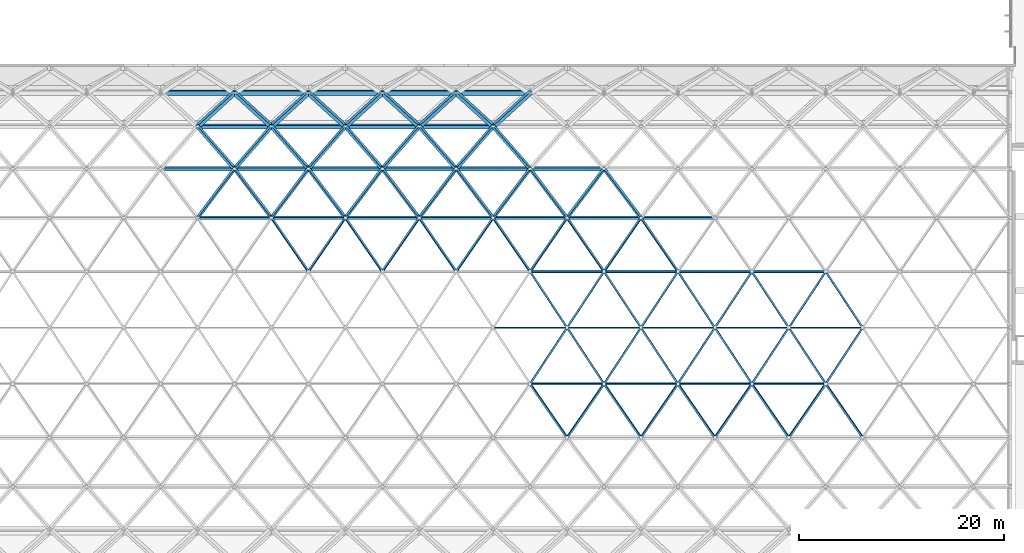
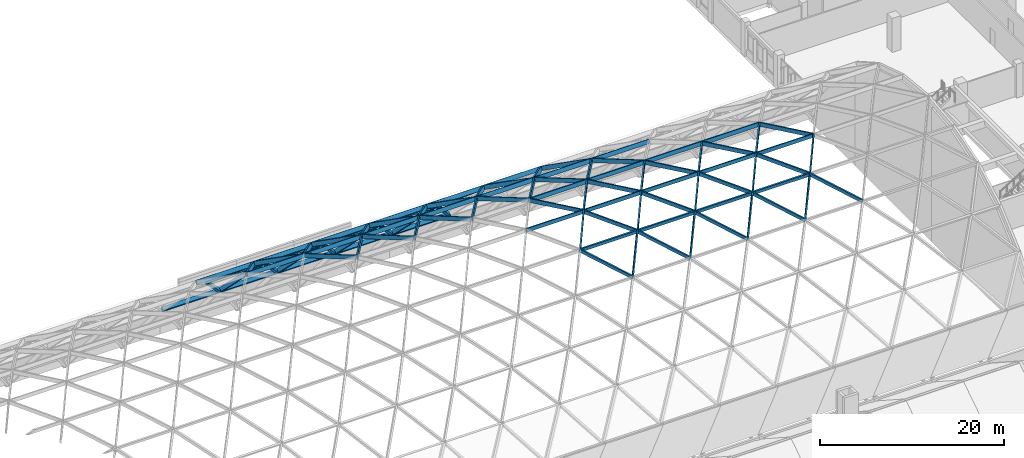
# One storey, part 10 of 52: 68 members, 35 beams.
"""IFC4 building model written with IfcOpenShell, lengths in metres."""

from ifc_helpers import new_model, si_unit, direction, frame, origin, origin_2d, place, context, subcontext, project, spatial, rectangle, extrude, material, material_profile, profile_set, type_object, element, save


model = new_model("IFC4")

# Units and contexts
model_context = context("Model", 3, precision=1e-05, world=origin(), true_north=direction((0.0, 1.0)))
body_context = subcontext(model_context, "Body", "Model", "MODEL_VIEW")
ifc_project = project(units=[si_unit("LENGTHUNIT", "METRE"), si_unit("AREAUNIT", "SQUARE_METRE"), si_unit("VOLUMEUNIT", "CUBIC_METRE"), si_unit("PLANEANGLEUNIT", "RADIAN"), si_unit("MASSUNIT", "GRAM", prefix="KILO")], contexts=[model_context])

# Site, building, storey
site_placement = place(None, origin())
site = spatial("IfcSite", under=ifc_project, at=site_placement, CompositionType="ELEMENT")
building_placement = place(site_placement, origin())
building = spatial("IfcBuilding", under=site, at=building_placement, Name="Vermilion Court Aquatics Centre", CompositionType="ELEMENT")
storey_placement = place(building_placement, frame((0.0, 0.0, 12.0)))
storey = spatial("IfcBuildingStorey", under=building, at=storey_placement, Name="L02", CompositionType="ELEMENT", Elevation=12.0)

# Beams
ifc_material_1 = material(Name="Glulam 24F-V4 Douglas fir", Category="wood")
ifc_material_profile_1 = material_profile(ifc_material_1, rectangle(XDim=0.1298828125, YDim=0.5, at=origin_2d()), Name="GL24F 130x500")
ifc_profile_set_1 = profile_set([ifc_material_profile_1], Name="Glulam 24F-V4 Douglas fir")
beam_type_1 = type_object("IfcBeamType", Name="Roof glulam beam GL24F 130x500", PredefinedType="BEAM", material=ifc_profile_set_1)
for number, where, z_axis, x_axis, name in (
    (1, (93.60009765625, 39.60009765625, 18.25), (1.0, 0.0, 0.0), (0.0, 1.0, 0.0), "Gridshell member GM-S06-11"),
    (2, (100.800048828125, 39.60009765625, 18.25), (1.0, 0.0, 0.0), (0.0, 1.0, 0.0), "Gridshell member GM-S06-12"),
    (3, (108.0, 39.60009765625, 18.25), (1.0, 0.0, 0.0), (0.0, 1.0, 0.0), "Gridshell member GM-S06-13"),
    (4, (115.199951171875, 39.60009765625, 18.25), (1.0, 0.0, 0.0), (0.0, 1.0, 0.0), "Gridshell member GM-S06-14"),
):
    element("IfcBeam", number, at=place(storey_placement, frame(where, z_axis=z_axis, x_axis=x_axis)), inside=storey, type_object=beam_type_1, Name=name, PredefinedType="BEAM", context=body_context, shape_type="SweptSolid", body=[
        extrude(rectangle(XDim=0.1298828125, YDim=0.5, at=origin_2d()), origin(), (0.0, 0.0, 1.0), 7.199951171875),
    ])
beam_1_placement = place(storey_placement, frame((122.39990234375, 39.60009765625, 18.25), z_axis=(1.0, 0.0, 0.0), x_axis=(0.0, 1.0, 0.0)))
element("IfcBeam", 5, at=beam_1_placement, inside=storey, type_object=beam_type_1, Name="Gridshell member GM-S06-15", PredefinedType="BEAM", context=body_context, shape_type="SweptSolid", body=[
    extrude(rectangle(XDim=0.1298828125, YDim=0.5, at=origin_2d()), origin(), (0.0, 0.0, 1.0), 7.2001953125),
])
ifc_material_2 = material(Name="Glulam 24F-V4 Douglas fir", Category="wood")
ifc_material_profile_2 = material_profile(ifc_material_2, rectangle(XDim=0.1708984375, YDim=0.5, at=origin_2d()), Name="GL24F 171x500")
ifc_profile_set_2 = profile_set([ifc_material_profile_2], Name="Glulam 24F-V4 Douglas fir")
beam_type_2 = type_object("IfcBeamType", Name="Roof glulam beam GL24F 171x500", PredefinedType="BEAM", material=ifc_profile_set_2)
beam_2_placement = place(storey_placement, frame((97.199951171875, 34.1298828125, 17.681884765625), z_axis=(1.0, 0.0, 0.0), x_axis=(0.0, 0.978692135467, 0.205333153619)))
element("IfcBeam", 6, at=beam_2_placement, inside=storey, type_object=beam_type_2, Name="Gridshell member GM-S05-12", PredefinedType="BEAM", context=body_context, shape_type="SweptSolid", body=[
    extrude(rectangle(XDim=0.1708984375, YDim=0.5, at=origin_2d()), origin(), (0.0, 0.0, 1.0), 7.199951171875),
])
beam_3_placement = place(storey_placement, frame((104.39990234375, 34.1298828125, 17.681884765625), z_axis=(1.0, 0.0, 0.0), x_axis=(0.0, 0.978692135467, 0.205333153619)))
element("IfcBeam", 7, at=beam_3_placement, inside=storey, type_object=beam_type_2, Name="Gridshell member GM-S05-13", PredefinedType="BEAM", context=body_context, shape_type="SweptSolid", body=[
    extrude(rectangle(XDim=0.1708984375, YDim=0.5, at=origin_2d()), origin(), (0.0, 0.0, 1.0), 7.2001953125),
])
for number, where, z_axis, x_axis, name in (
    (8, (111.60009765625, 34.1298828125, 17.681884765625), (1.0, 0.0, 0.0), (0.0, 0.978692135467, 0.205333153619), "Gridshell member GM-S05-14"),
    (9, (118.800048828125, 34.1298828125, 17.681884765625), (1.0, 0.0, 0.0), (0.0, 0.978692135467, 0.205333153619), "Gridshell member GM-S05-15"),
    (10, (97.199951171875, 45.070068359375, 17.681884765625), (1.0, 0.0, 0.0), (0.0, 0.978692135467, -0.205333153619), "Gridshell member GM-S07-12"),
):
    element("IfcBeam", number, at=place(storey_placement, frame(where, z_axis=z_axis, x_axis=x_axis)), inside=storey, type_object=beam_type_2, Name=name, PredefinedType="BEAM", context=body_context, shape_type="SweptSolid", body=[
        extrude(rectangle(XDim=0.1708984375, YDim=0.5, at=origin_2d()), origin(), (0.0, 0.0, 1.0), 7.199951171875),
    ])
beam_4_placement = place(storey_placement, frame((104.39990234375, 45.070068359375, 17.681884765625), z_axis=(1.0, 0.0, 0.0), x_axis=(0.0, 0.978692135467, -0.205333153619)))
element("IfcBeam", 11, at=beam_4_placement, inside=storey, type_object=beam_type_2, Name="Gridshell member GM-S07-13", PredefinedType="BEAM", context=body_context, shape_type="SweptSolid", body=[
    extrude(rectangle(XDim=0.1708984375, YDim=0.5, at=origin_2d()), origin(), (0.0, 0.0, 1.0), 7.2001953125),
])
for number, where, z_axis, x_axis, name in (
    (12, (111.60009765625, 45.070068359375, 17.681884765625), (1.0, 0.0, 0.0), (0.0, 0.978692135467, -0.205333153619), "Gridshell member GM-S07-14"),
    (13, (118.800048828125, 45.070068359375, 17.681884765625), (1.0, 0.0, 0.0), (0.0, 0.978692135467, -0.205333153619), "Gridshell member GM-S07-15"),
    (14, (64.800048828125, 50.300048828125, 16.007080078125), (1.0, 0.0, 0.0), (0.0, 0.915794264632, -0.401647687492), "Gridshell member GM-S08-07"),
    (15, (72.0, 50.300048828125, 16.007080078125), (1.0, 0.0, 0.0), (0.0, 0.915794264632, -0.401647687492), "Gridshell member GM-S08-08"),
    (16, (79.199951171875, 50.300048828125, 16.007080078125), (1.0, 0.0, 0.0), (0.0, 0.915794264632, -0.401647687492), "Gridshell member GM-S08-09"),
):
    element("IfcBeam", number, at=place(storey_placement, frame(where, z_axis=z_axis, x_axis=x_axis)), inside=storey, type_object=beam_type_2, Name=name, PredefinedType="BEAM", context=body_context, shape_type="SweptSolid", body=[
        extrude(rectangle(XDim=0.1708984375, YDim=0.5, at=origin_2d()), origin(), (0.0, 0.0, 1.0), 7.199951171875),
    ])
beam_5_placement = place(storey_placement, frame((86.39990234375, 50.300048828125, 16.007080078125), z_axis=(1.0, 0.0, 0.0), x_axis=(0.0, 0.915794264632, -0.401647687492)))
element("IfcBeam", 17, at=beam_5_placement, inside=storey, type_object=beam_type_2, Name="Gridshell member GM-S08-10", PredefinedType="BEAM", context=body_context, shape_type="SweptSolid", body=[
    extrude(rectangle(XDim=0.1708984375, YDim=0.5, at=origin_2d()), origin(), (0.0, 0.0, 1.0), 7.2001953125),
])
for number, where, z_axis, x_axis, name in (
    (18, (93.60009765625, 50.300048828125, 16.007080078125), (1.0, 0.0, 0.0), (0.0, 0.915794264632, -0.401647687492), "Gridshell member GM-S08-11"),
    (19, (100.800048828125, 50.300048828125, 16.007080078125), (1.0, 0.0, 0.0), (0.0, 0.915794264632, -0.401647687492), "Gridshell member GM-S08-12"),
    (20, (108.0, 50.300048828125, 16.007080078125), (1.0, 0.0, 0.0), (0.0, 0.915794264632, -0.401647687492), "Gridshell member GM-S08-13"),
):
    element("IfcBeam", number, at=place(storey_placement, frame(where, z_axis=z_axis, x_axis=x_axis)), inside=storey, type_object=beam_type_2, Name=name, PredefinedType="BEAM", context=body_context, shape_type="SweptSolid", body=[
        extrude(rectangle(XDim=0.1708984375, YDim=0.5, at=origin_2d()), origin(), (0.0, 0.0, 1.0), 7.199951171875),
    ])
ifc_material_3 = material(Name="Glulam 24F-V4 Douglas fir", Category="wood")
ifc_material_profile_3 = material_profile(ifc_material_3, rectangle(XDim=0.221923828125, YDim=0.5, at=origin_2d()), Name="GL24F 222x500")
ifc_profile_set_3 = profile_set([ifc_material_profile_3], Name="Glulam 24F-V4 Douglas fir")
beam_type_3 = type_object("IfcBeamType", Name="Roof glulam beam GL24F 222x500", PredefinedType="BEAM", material=ifc_profile_set_3)
beam_6_placement = place(storey_placement, frame((61.199951171875, 55.080078125, 13.291015625), z_axis=(1.0, 0.0, 0.0), x_axis=(0.0, 0.813847589394, -0.581078395087)))
element("IfcBeam", 21, at=beam_6_placement, inside=storey, type_object=beam_type_3, Name="Gridshell member GM-S09-07", PredefinedType="BEAM", context=body_context, shape_type="SweptSolid", body=[
    extrude(rectangle(XDim=0.221923828125, YDim=0.5, at=origin_2d()), origin(), (0.0, 0.0, 1.0), 7.199951171875),
])
beam_7_placement = place(storey_placement, frame((68.39990234375, 55.080078125, 13.291015625), z_axis=(1.0, 0.0, 0.0), x_axis=(0.0, 0.813847589394, -0.581078395087)))
element("IfcBeam", 22, at=beam_7_placement, inside=storey, type_object=beam_type_3, Name="Gridshell member GM-S09-08", PredefinedType="BEAM", context=body_context, shape_type="SweptSolid", body=[
    extrude(rectangle(XDim=0.221923828125, YDim=0.5, at=origin_2d()), origin(), (0.0, 0.0, 1.0), 7.2001953125),
])
for number, where, z_axis, x_axis, name in (
    (23, (75.60009765625, 55.080078125, 13.291015625), (1.0, 0.0, 0.0), (0.0, 0.813847589394, -0.581078395087), "Gridshell member GM-S09-09"),
    (24, (82.800048828125, 55.080078125, 13.291015625), (1.0, 0.0, 0.0), (0.0, 0.813847589394, -0.581078395087), "Gridshell member GM-S09-10"),
    (25, (90.0, 55.080078125, 13.291015625), (1.0, 0.0, 0.0), (0.0, 0.813847589394, -0.581078395087), "Gridshell member GM-S09-11"),
    (26, (97.199951171875, 55.080078125, 13.291015625), (1.0, 0.0, 0.0), (0.0, 0.813847589394, -0.581078395087), "Gridshell member GM-S09-12"),
    (27, (64.800048828125, 59.199951171875, 9.652099609375), (1.0, 0.0, 0.0), (0.0, 0.677259808472, -0.735743944473), "Gridshell member GM-S10-07"),
    (28, (72.0, 59.199951171875, 9.652099609375), (1.0, 0.0, 0.0), (0.0, 0.677259808472, -0.735743944473), "Gridshell member GM-S10-08"),
    (29, (79.199951171875, 59.199951171875, 9.652099609375), (1.0, 0.0, 0.0), (0.0, 0.677259808472, -0.735743944473), "Gridshell member GM-S10-09"),
):
    element("IfcBeam", number, at=place(storey_placement, frame(where, z_axis=z_axis, x_axis=x_axis)), inside=storey, type_object=beam_type_3, Name=name, PredefinedType="BEAM", context=body_context, shape_type="SweptSolid", body=[
        extrude(rectangle(XDim=0.221923828125, YDim=0.5, at=origin_2d()), origin(), (0.0, 0.0, 1.0), 7.199951171875),
    ])
beam_8_placement = place(storey_placement, frame((86.39990234375, 59.199951171875, 9.652099609375), z_axis=(1.0, 0.0, 0.0), x_axis=(0.0, 0.677259808472, -0.735743944473)))
element("IfcBeam", 30, at=beam_8_placement, inside=storey, type_object=beam_type_3, Name="Gridshell member GM-S10-10", PredefinedType="BEAM", context=body_context, shape_type="SweptSolid", body=[
    extrude(rectangle(XDim=0.221923828125, YDim=0.5, at=origin_2d()), origin(), (0.0, 0.0, 1.0), 7.2001953125),
])
ifc_material_4 = material(Name="Glulam 24F-V4 Douglas fir", Category="wood")
ifc_material_profile_4 = material_profile(ifc_material_4, rectangle(XDim=0.27294921875, YDim=0.5, at=origin_2d()), Name="GL24F 273x500")
ifc_profile_set_4 = profile_set([ifc_material_profile_4], Name="Glulam 24F-V4 Douglas fir")
beam_type_4 = type_object("IfcBeamType", Name="Roof glulam beam GL24F 273x500", PredefinedType="BEAM", material=ifc_profile_set_4)
beam_9_placement = place(storey_placement, frame((61.199951171875, 62.489990234375, 5.239013671875), z_axis=(1.0, 0.0, 0.0), x_axis=(0.0, 0.511594723072, -0.859226884661)))
element("IfcBeam", 31, at=beam_9_placement, inside=storey, type_object=beam_type_4, Name="Gridshell member GM-S11-07", PredefinedType="BEAM", context=body_context, shape_type="SweptSolid", body=[
    extrude(rectangle(XDim=0.27294921875, YDim=0.5, at=origin_2d()), origin(), (0.0, 0.0, 1.0), 7.199951171875),
])
beam_10_placement = place(storey_placement, frame((68.39990234375, 62.489990234375, 5.239013671875), z_axis=(1.0, 0.0, 0.0), x_axis=(0.0, 0.511594723072, -0.859226884661)))
element("IfcBeam", 32, at=beam_10_placement, inside=storey, type_object=beam_type_4, Name="Gridshell member GM-S11-08", PredefinedType="BEAM", context=body_context, shape_type="SweptSolid", body=[
    extrude(rectangle(XDim=0.27294921875, YDim=0.5, at=origin_2d()), origin(), (0.0, 0.0, 1.0), 7.2001953125),
])
for number, where, z_axis, x_axis, name in (
    (33, (75.60009765625, 62.489990234375, 5.239013671875), (1.0, 0.0, 0.0), (0.0, 0.511594723072, -0.859226884661), "Gridshell member GM-S11-09"),
    (34, (82.800048828125, 62.489990234375, 5.239013671875), (1.0, 0.0, 0.0), (0.0, 0.511594723072, -0.859226884661), "Gridshell member GM-S11-10"),
    (35, (90.0, 62.489990234375, 5.239013671875), (1.0, 0.0, 0.0), (0.0, 0.511594723072, -0.859226884661), "Gridshell member GM-S11-11"),
):
    element("IfcBeam", number, at=place(storey_placement, frame(where, z_axis=z_axis, x_axis=x_axis)), inside=storey, type_object=beam_type_4, Name=name, PredefinedType="BEAM", context=body_context, shape_type="SweptSolid", body=[
        extrude(rectangle(XDim=0.27294921875, YDim=0.5, at=origin_2d()), origin(), (0.0, 0.0, 1.0), 7.199951171875),
    ])

# Members
ifc_material_5 = material(Name="Glulam 24F-V4 Douglas fir", Category="wood")
ifc_material_profile_5 = material_profile(ifc_material_5, rectangle(XDim=0.1708984375, YDim=0.5, at=origin_2d()), Name="GL24F 171x500")
ifc_profile_set_5 = profile_set([ifc_material_profile_5], Name="Glulam 24F-V4 Douglas fir")
member_type_1 = type_object("IfcMemberType", Name="Roof glulam diagonal GL24F 171x500", PredefinedType="BRACE", material=ifc_profile_set_5)
for number, where, z_axis, x_axis, name in (
    (36, (100.800048828125, 28.89990234375, 16.007080078125), (-0.548255650399, 0.796469045357, 0.255054507103), (-0.836310790084, -0.522113193833, -0.167278436192), "Gridshell member GM-D04-23"),
    (37, (100.800048828125, 28.89990234375, 16.007080078125), (0.548229645356, 0.796485280625, 0.255059706147), (-0.836327836937, 0.522085963539, 0.167278198938), "Gridshell member GM-D04-24"),
    (38, (108.0, 28.89990234375, 16.007080078125), (-0.548255650399, 0.796469045357, 0.255054507103), (-0.836310790084, -0.522113193833, -0.167278436192), "Gridshell member GM-D04-25"),
    (39, (108.0, 28.89990234375, 16.007080078125), (0.548255650399, 0.796469045357, 0.255054507103), (-0.836310790084, 0.522113193833, 0.167278436192), "Gridshell member GM-D04-26"),
    (40, (115.199951171875, 28.89990234375, 16.007080078125), (-0.548229645356, 0.796485280625, 0.255059706147), (-0.836327836937, -0.522085963539, -0.167278198938), "Gridshell member GM-D04-27"),
    (41, (115.199951171875, 28.89990234375, 16.007080078125), (0.548255650399, 0.796469045357, 0.255054507103), (-0.836310790084, 0.522113193833, 0.167278436192), "Gridshell member GM-D04-28"),
    (42, (122.39990234375, 28.89990234375, 16.007080078125), (-0.548229645356, 0.796485280625, 0.255059706147), (-0.836327836937, -0.522085963539, -0.167278198938), "Gridshell member GM-D04-29"),
    (43, (122.39990234375, 28.89990234375, 16.007080078125), (0.548255650399, 0.796469045357, 0.255054507103), (-0.836310790084, 0.522113193833, 0.167278436192), "Gridshell member GM-D04-30"),
    (44, (129.60009765625, 28.89990234375, 16.007080078125), (-0.548255650399, 0.796469045357, 0.255054507103), (-0.836310790084, -0.522113193833, -0.167278436192), "Gridshell member GM-D04-31"),
):
    element("IfcMember", number, at=place(storey_placement, frame(where, z_axis=z_axis, x_axis=x_axis)), inside=storey, type_object=member_type_1, Name=name, PredefinedType="BRACE", context=body_context, shape_type="SweptSolid", body=[
        extrude(rectangle(XDim=0.1708984375, YDim=0.5, at=origin_2d()), origin(), (0.0, 0.0, 1.0), 6.56640625),
    ])
member_1_placement = place(storey_placement, frame((97.199951171875, 34.1298828125, 17.681884765625), z_axis=(0.547694891547, 0.83220207107, 0.086429269811), x_axis=(-0.83667813664, 0.544769518799, 0.056532000293)))
element("IfcMember", 45, at=member_1_placement, inside=storey, type_object=member_type_1, Name="Gridshell member GM-D05-23", PredefinedType="BRACE", context=body_context, shape_type="SweptSolid", body=[
    extrude(rectangle(XDim=0.1708984375, YDim=0.5, at=origin_2d()), origin(), (0.0, 0.0, 1.0), 6.5732421875),
])
member_2_placement = place(storey_placement, frame((104.39990234375, 34.1298828125, 17.681884765625), z_axis=(-0.547668890277, 0.832219000038, 0.086431027987), x_axis=(-0.83669515676, -0.544743378643, -0.056531991638)))
element("IfcMember", 46, at=member_2_placement, inside=storey, type_object=member_type_1, Name="Gridshell member GM-D05-24", PredefinedType="BRACE", context=body_context, shape_type="SweptSolid", body=[
    extrude(rectangle(XDim=0.1708984375, YDim=0.5, at=origin_2d()), origin(), (0.0, 0.0, 1.0), 6.572998046875),
])
for number, where, z_axis, x_axis, name in (
    (47, (104.39990234375, 34.1298828125, 17.681884765625), (0.547694891547, 0.83220207107, 0.086429269811), (-0.83667813664, 0.544769518799, 0.056532000293), "Gridshell member GM-D05-25"),
    (48, (111.60009765625, 34.1298828125, 17.681884765625), (-0.547694891547, 0.83220207107, 0.086429269811), (-0.83667813664, -0.544769518799, -0.056532000293), "Gridshell member GM-D05-26"),
):
    element("IfcMember", number, at=place(storey_placement, frame(where, z_axis=z_axis, x_axis=x_axis)), inside=storey, type_object=member_type_1, Name=name, PredefinedType="BRACE", context=body_context, shape_type="SweptSolid", body=[
        extrude(rectangle(XDim=0.1708984375, YDim=0.5, at=origin_2d()), origin(), (0.0, 0.0, 1.0), 6.5732421875),
    ])
member_3_placement = place(storey_placement, frame((111.60009765625, 34.1298828125, 17.681884765625), z_axis=(0.547668890277, 0.832219000038, 0.086431027987), x_axis=(-0.83669515676, 0.544743378643, 0.056531991638)))
element("IfcMember", 49, at=member_3_placement, inside=storey, type_object=member_type_1, Name="Gridshell member GM-D05-27", PredefinedType="BRACE", context=body_context, shape_type="SweptSolid", body=[
    extrude(rectangle(XDim=0.1708984375, YDim=0.5, at=origin_2d()), origin(), (0.0, 0.0, 1.0), 6.572998046875),
])
member_4_placement = place(storey_placement, frame((118.800048828125, 34.1298828125, 17.681884765625), z_axis=(-0.547694891547, 0.83220207107, 0.086429269811), x_axis=(-0.83667813664, -0.544769518799, -0.056532000293)))
element("IfcMember", 50, at=member_4_placement, inside=storey, type_object=member_type_1, Name="Gridshell member GM-D05-28", PredefinedType="BRACE", context=body_context, shape_type="SweptSolid", body=[
    extrude(rectangle(XDim=0.1708984375, YDim=0.5, at=origin_2d()), origin(), (0.0, 0.0, 1.0), 6.5732421875),
])
member_5_placement = place(storey_placement, frame((118.800048828125, 34.1298828125, 17.681884765625), z_axis=(0.547668890277, 0.832219000038, 0.086431027987), x_axis=(-0.83669515676, 0.544743378643, 0.056531991638)))
element("IfcMember", 51, at=member_5_placement, inside=storey, type_object=member_type_1, Name="Gridshell member GM-D05-29", PredefinedType="BRACE", context=body_context, shape_type="SweptSolid", body=[
    extrude(rectangle(XDim=0.1708984375, YDim=0.5, at=origin_2d()), origin(), (0.0, 0.0, 1.0), 6.572998046875),
])
for number, where, z_axis, x_axis, name in (
    (52, (126.0, 34.1298828125, 17.681884765625), (-0.547694891547, 0.83220207107, 0.086429269811), (-0.83667813664, -0.544769518799, -0.056532000293), "Gridshell member GM-D05-30"),
    (53, (126.0, 34.1298828125, 17.681884765625), (0.547694891547, 0.83220207107, 0.086429269811), (-0.83667813664, 0.544769518799, 0.056532000293), "Gridshell member GM-D05-31"),
):
    element("IfcMember", number, at=place(storey_placement, frame(where, z_axis=z_axis, x_axis=x_axis)), inside=storey, type_object=member_type_1, Name=name, PredefinedType="BRACE", context=body_context, shape_type="SweptSolid", body=[
        extrude(rectangle(XDim=0.1708984375, YDim=0.5, at=origin_2d()), origin(), (0.0, 0.0, 1.0), 6.5732421875),
    ])
member_6_placement = place(storey_placement, frame((100.800048828125, 39.60009765625, 18.25), z_axis=(-0.547711820979, 0.832190651637, -0.086431941368), x_axis=(-0.836667054109, -0.544786540764, 0.056531987142)))
element("IfcMember", 54, at=member_6_placement, inside=storey, type_object=member_type_1, Name="Gridshell member GM-D06-23", PredefinedType="BRACE", context=body_context, shape_type="SweptSolid", body=[
    extrude(rectangle(XDim=0.1708984375, YDim=0.5, at=origin_2d()), origin(), (0.0, 0.0, 1.0), 6.572998046875),
])
member_7_placement = place(storey_placement, frame((100.800048828125, 39.60009765625, 18.25), z_axis=(0.547685819594, 0.832207581418, -0.086433699708), x_axis=(-0.836684075066, 0.544760400487, -0.056531978485)))
element("IfcMember", 55, at=member_7_placement, inside=storey, type_object=member_type_1, Name="Gridshell member GM-D06-24", PredefinedType="BRACE", context=body_context, shape_type="SweptSolid", body=[
    extrude(rectangle(XDim=0.1708984375, YDim=0.5, at=origin_2d()), origin(), (0.0, 0.0, 1.0), 6.57275390625),
])
for number, where, z_axis, x_axis, name in (
    (56, (108.0, 39.60009765625, 18.25), (-0.547711820979, 0.832190651637, -0.086431941368), (-0.836667054109, -0.544786540764, 0.056531987142), "Gridshell member GM-D06-25"),
    (57, (108.0, 39.60009765625, 18.25), (0.547711820979, 0.832190651637, -0.086431941368), (-0.836667054109, 0.544786540764, -0.056531987142), "Gridshell member GM-D06-26"),
):
    element("IfcMember", number, at=place(storey_placement, frame(where, z_axis=z_axis, x_axis=x_axis)), inside=storey, type_object=member_type_1, Name=name, PredefinedType="BRACE", context=body_context, shape_type="SweptSolid", body=[
        extrude(rectangle(XDim=0.1708984375, YDim=0.5, at=origin_2d()), origin(), (0.0, 0.0, 1.0), 6.572998046875),
    ])
member_8_placement = place(storey_placement, frame((115.199951171875, 39.60009765625, 18.25), z_axis=(-0.547685819594, 0.832207581418, -0.086433699708), x_axis=(-0.836684075066, -0.544760400487, 0.056531978485)))
element("IfcMember", 58, at=member_8_placement, inside=storey, type_object=member_type_1, Name="Gridshell member GM-D06-27", PredefinedType="BRACE", context=body_context, shape_type="SweptSolid", body=[
    extrude(rectangle(XDim=0.1708984375, YDim=0.5, at=origin_2d()), origin(), (0.0, 0.0, 1.0), 6.57275390625),
])
member_9_placement = place(storey_placement, frame((115.199951171875, 39.60009765625, 18.25), z_axis=(0.547711820979, 0.832190651637, -0.086431941368), x_axis=(-0.836667054109, 0.544786540764, -0.056531987142)))
element("IfcMember", 59, at=member_9_placement, inside=storey, type_object=member_type_1, Name="Gridshell member GM-D06-28", PredefinedType="BRACE", context=body_context, shape_type="SweptSolid", body=[
    extrude(rectangle(XDim=0.1708984375, YDim=0.5, at=origin_2d()), origin(), (0.0, 0.0, 1.0), 6.572998046875),
])
member_10_placement = place(storey_placement, frame((122.39990234375, 39.60009765625, 18.25), z_axis=(-0.547685819594, 0.832207581418, -0.086433699708), x_axis=(-0.836684075066, -0.544760400487, 0.056531978485)))
element("IfcMember", 60, at=member_10_placement, inside=storey, type_object=member_type_1, Name="Gridshell member GM-D06-29", PredefinedType="BRACE", context=body_context, shape_type="SweptSolid", body=[
    extrude(rectangle(XDim=0.1708984375, YDim=0.5, at=origin_2d()), origin(), (0.0, 0.0, 1.0), 6.57275390625),
])
for number, where, z_axis, x_axis, name in (
    (61, (122.39990234375, 39.60009765625, 18.25), (0.547711820979, 0.832190651637, -0.086431941368), (-0.836667054109, 0.544786540764, -0.056531987142), "Gridshell member GM-D06-30"),
    (62, (129.60009765625, 39.60009765625, 18.25), (-0.547711820979, 0.832190651637, -0.086431941368), (-0.836667054109, -0.544786540764, 0.056531987142), "Gridshell member GM-D06-31"),
):
    element("IfcMember", number, at=place(storey_placement, frame(where, z_axis=z_axis, x_axis=x_axis)), inside=storey, type_object=member_type_1, Name=name, PredefinedType="BRACE", context=body_context, shape_type="SweptSolid", body=[
        extrude(rectangle(XDim=0.1708984375, YDim=0.5, at=origin_2d()), origin(), (0.0, 0.0, 1.0), 6.572998046875),
    ])
for number, where, z_axis, x_axis, name in (
    (63, (75.60009765625, 45.070068359375, 17.681884765625), (-0.548255650399, 0.796469045357, -0.255054507103), (-0.836310790084, -0.522113193833, 0.167278436192), "Gridshell member GM-D07-16"),
    (64, (75.60009765625, 45.070068359375, 17.681884765625), (0.548229645356, 0.796485280625, -0.255059706147), (-0.836327836937, 0.522085963539, -0.167278198938), "Gridshell member GM-D07-17"),
    (65, (82.800048828125, 45.070068359375, 17.681884765625), (-0.548255650399, 0.796469045357, -0.255054507103), (-0.836310790084, -0.522113193833, 0.167278436192), "Gridshell member GM-D07-18"),
    (66, (82.800048828125, 45.070068359375, 17.681884765625), (0.548229645356, 0.796485280625, -0.255059706147), (-0.836327836937, 0.522085963539, -0.167278198938), "Gridshell member GM-D07-19"),
    (67, (90.0, 45.070068359375, 17.681884765625), (-0.548255650399, 0.796469045357, -0.255054507103), (-0.836310790084, -0.522113193833, 0.167278436192), "Gridshell member GM-D07-20"),
    (68, (90.0, 45.070068359375, 17.681884765625), (0.548255650399, 0.796469045357, -0.255054507103), (-0.836310790084, 0.522113193833, -0.167278436192), "Gridshell member GM-D07-21"),
    (69, (97.199951171875, 45.070068359375, 17.681884765625), (-0.548229645356, 0.796485280625, -0.255059706147), (-0.836327836937, -0.522085963539, 0.167278198938), "Gridshell member GM-D07-22"),
    (70, (97.199951171875, 45.070068359375, 17.681884765625), (0.548255650399, 0.796469045357, -0.255054507103), (-0.836310790084, 0.522113193833, -0.167278436192), "Gridshell member GM-D07-23"),
    (71, (104.39990234375, 45.070068359375, 17.681884765625), (-0.548229645356, 0.796485280625, -0.255059706147), (-0.836327836937, -0.522085963539, 0.167278198938), "Gridshell member GM-D07-24"),
    (72, (104.39990234375, 45.070068359375, 17.681884765625), (0.548255650399, 0.796469045357, -0.255054507103), (-0.836310790084, 0.522113193833, -0.167278436192), "Gridshell member GM-D07-25"),
    (73, (111.60009765625, 45.070068359375, 17.681884765625), (-0.548255650399, 0.796469045357, -0.255054507103), (-0.836310790084, -0.522113193833, 0.167278436192), "Gridshell member GM-D07-26"),
):
    element("IfcMember", number, at=place(storey_placement, frame(where, z_axis=z_axis, x_axis=x_axis)), inside=storey, type_object=member_type_1, Name=name, PredefinedType="BRACE", context=body_context, shape_type="SweptSolid", body=[
        extrude(rectangle(XDim=0.1708984375, YDim=0.5, at=origin_2d()), origin(), (0.0, 0.0, 1.0), 6.56640625),
    ])
ifc_material_6 = material(Name="Glulam 24F-V4 Douglas fir", Category="wood")
ifc_material_profile_6 = material_profile(ifc_material_6, rectangle(XDim=0.221923828125, YDim=0.5, at=origin_2d()), Name="GL24F 222x500")
ifc_profile_set_6 = profile_set([ifc_material_profile_6], Name="Glulam 24F-V4 Douglas fir")
member_type_2 = type_object("IfcMemberType", Name="Roof glulam diagonal GL24F 222x500", PredefinedType="BRACE", material=ifc_profile_set_6)
for number, where, z_axis, x_axis, name in (
    (74, (64.800048828125, 50.300048828125, 16.007080078125), (0.54779771927, 0.727387693835, -0.413309571169), (-0.836610816753, 0.476284752714, -0.270619983787), "Gridshell member GM-D08-14"),
    (75, (72.0, 50.300048828125, 16.007080078125), (-0.547823721413, 0.72737289038, -0.413301159685), (-0.836593790264, -0.476314014443, 0.270621118423), "Gridshell member GM-D08-15"),
    (76, (72.0, 50.300048828125, 16.007080078125), (0.547823721413, 0.72737289038, -0.413301159685), (-0.836593790264, 0.476314014443, -0.270621118423), "Gridshell member GM-D08-16"),
    (77, (79.199951171875, 50.300048828125, 16.007080078125), (-0.54779771927, 0.727387693835, -0.413309571169), (-0.836610816753, -0.476284752714, 0.270619983787), "Gridshell member GM-D08-17"),
    (78, (79.199951171875, 50.300048828125, 16.007080078125), (0.547823721413, 0.72737289038, -0.413301159685), (-0.836593790264, 0.476314014443, -0.270621118423), "Gridshell member GM-D08-18"),
    (79, (86.39990234375, 50.300048828125, 16.007080078125), (-0.54779771927, 0.727387693835, -0.413309571169), (-0.836610816753, -0.476284752714, 0.270619983787), "Gridshell member GM-D08-19"),
    (80, (86.39990234375, 50.300048828125, 16.007080078125), (0.547823721413, 0.72737289038, -0.413301159685), (-0.836593790264, 0.476314014443, -0.270621118423), "Gridshell member GM-D08-20"),
    (81, (93.60009765625, 50.300048828125, 16.007080078125), (-0.547823721413, 0.72737289038, -0.413301159685), (-0.836593790264, -0.476314014443, 0.270621118423), "Gridshell member GM-D08-21"),
    (82, (93.60009765625, 50.300048828125, 16.007080078125), (0.54779771927, 0.727387693835, -0.413309571169), (-0.836610816753, 0.476284752714, -0.270619983787), "Gridshell member GM-D08-22"),
    (83, (100.800048828125, 50.300048828125, 16.007080078125), (-0.547823721413, 0.72737289038, -0.413301159685), (-0.836593790264, -0.476314014443, 0.270621118423), "Gridshell member GM-D08-23"),
    (84, (100.800048828125, 50.300048828125, 16.007080078125), (0.54779771927, 0.727387693835, -0.413309571169), (-0.836610816753, 0.476284752714, -0.270619983787), "Gridshell member GM-D08-24"),
    (85, (108.0, 50.300048828125, 16.007080078125), (-0.547823721413, 0.72737289038, -0.413301159685), (-0.836593790264, -0.476314014443, 0.270621118423), "Gridshell member GM-D08-25"),
):
    element("IfcMember", number, at=place(storey_placement, frame(where, z_axis=z_axis, x_axis=x_axis)), inside=storey, type_object=member_type_2, Name=name, PredefinedType="BRACE", context=body_context, shape_type="SweptSolid", body=[
        extrude(rectangle(XDim=0.221923828125, YDim=0.5, at=origin_2d()), origin(), (0.0, 0.0, 1.0), 6.571533203125),
    ])
for number, where, z_axis, x_axis, name in (
    (86, (68.39990234375, 55.080078125, 13.291015625), (-0.547865104999, 0.627007368387, -0.553810063752), (-0.836566689223, -0.410652793719, 0.362657493363), "Gridshell member GM-D09-14"),
    (87, (68.39990234375, 55.080078125, 13.291015625), (0.547891107597, 0.626994604686, -0.553798790095), (-0.836549658829, 0.410684601647, -0.362660759228), "Gridshell member GM-D09-15"),
    (88, (75.60009765625, 55.080078125, 13.291015625), (-0.547891107597, 0.626994604686, -0.553798790095), (-0.836549658829, -0.410684601647, 0.362660759228), "Gridshell member GM-D09-16"),
    (89, (75.60009765625, 55.080078125, 13.291015625), (0.547865104999, 0.627007368387, -0.553810063752), (-0.836566689223, 0.410652793719, -0.362657493363), "Gridshell member GM-D09-17"),
    (90, (82.800048828125, 55.080078125, 13.291015625), (-0.547891107597, 0.626994604686, -0.553798790095), (-0.836549658829, -0.410684601647, 0.362660759228), "Gridshell member GM-D09-18"),
    (91, (82.800048828125, 55.080078125, 13.291015625), (0.547865104999, 0.627007368387, -0.553810063752), (-0.836566689223, 0.410652793719, -0.362657493363), "Gridshell member GM-D09-19"),
    (92, (90.0, 55.080078125, 13.291015625), (-0.547891107597, 0.626994604686, -0.553798790095), (-0.836549658829, -0.410684601647, 0.362660759228), "Gridshell member GM-D09-20"),
    (93, (90.0, 55.080078125, 13.291015625), (0.547891107597, 0.626994604686, -0.553798790095), (-0.836549658829, 0.410684601647, -0.362660759228), "Gridshell member GM-D09-21"),
    (94, (97.199951171875, 55.080078125, 13.291015625), (-0.547865104999, 0.627007368387, -0.553810063752), (-0.836566689223, -0.410652793719, 0.362657493363), "Gridshell member GM-D09-22"),
):
    element("IfcMember", number, at=place(storey_placement, frame(where, z_axis=z_axis, x_axis=x_axis)), inside=storey, type_object=member_type_2, Name=name, PredefinedType="BRACE", context=body_context, shape_type="SweptSolid", body=[
        extrude(rectangle(XDim=0.221923828125, YDim=0.5, at=origin_2d()), origin(), (0.0, 0.0, 1.0), 6.57080078125),
    ])
ifc_material_7 = material(Name="Glulam 24F-V4 Douglas fir", Category="wood")
ifc_material_profile_7 = material_profile(ifc_material_7, rectangle(XDim=0.27294921875, YDim=0.5, at=origin_2d()), Name="GL24F 273x500")
ifc_profile_set_7 = profile_set([ifc_material_profile_7], Name="Glulam 24F-V4 Douglas fir")
member_type_3 = type_object("IfcMemberType", Name="Roof glulam diagonal GL24F 273x500", PredefinedType="BRACE", material=ifc_profile_set_7)
for number, where, z_axis, x_axis, name in (
    (95, (64.800048828125, 59.199951171875, 9.652099609375), (0.547328986583, 0.500224172478, -0.670974483654), (-0.836917545043, 0.32708302, -0.438845896445), "Gridshell member GM-D10-14"),
    (96, (72.0, 59.199951171875, 9.652099609375), (-0.547354985532, 0.500214009563, -0.670960851652), (-0.836900542699, -0.327116726721, 0.438853197242), "Gridshell member GM-D10-15"),
    (97, (72.0, 59.199951171875, 9.652099609375), (0.547354985532, 0.500214009563, -0.670960851652), (-0.836900542699, 0.327116726721, -0.438853197242), "Gridshell member GM-D10-16"),
    (98, (79.199951171875, 59.199951171875, 9.652099609375), (-0.547328986583, 0.500224172478, -0.670974483654), (-0.836917545043, -0.32708302, 0.438845896445), "Gridshell member GM-D10-17"),
    (99, (79.199951171875, 59.199951171875, 9.652099609375), (0.547354985532, 0.500214009563, -0.670960851652), (-0.836900542699, 0.327116726721, -0.438853197242), "Gridshell member GM-D10-18"),
    (100, (86.39990234375, 59.199951171875, 9.652099609375), (-0.547328986583, 0.500224172478, -0.670974483654), (-0.836917545043, -0.32708302, 0.438845896445), "Gridshell member GM-D10-19"),
    (101, (86.39990234375, 59.199951171875, 9.652099609375), (0.547354985532, 0.500214009563, -0.670960851652), (-0.836900542699, 0.327116726721, -0.438853197242), "Gridshell member GM-D10-20"),
    (102, (93.60009765625, 59.199951171875, 9.652099609375), (-0.547354985532, 0.500214009563, -0.670960851652), (-0.836900542699, -0.327116726721, 0.438853197242), "Gridshell member GM-D10-21"),
    (103, (93.60009765625, 59.199951171875, 9.652099609375), (0.547328986583, 0.500224172478, -0.670974483654), (-0.836917545043, 0.32708302, -0.438845896445), "Gridshell member GM-D10-22"),
):
    element("IfcMember", number, at=place(storey_placement, frame(where, z_axis=z_axis, x_axis=x_axis)), inside=storey, type_object=member_type_3, Name=name, PredefinedType="BRACE", context=body_context, shape_type="SweptSolid", body=[
        extrude(rectangle(XDim=0.27294921875, YDim=0.5, at=origin_2d()), origin(), (0.0, 0.0, 1.0), 6.5771484375),
    ])

save(model, "model.ifc")
